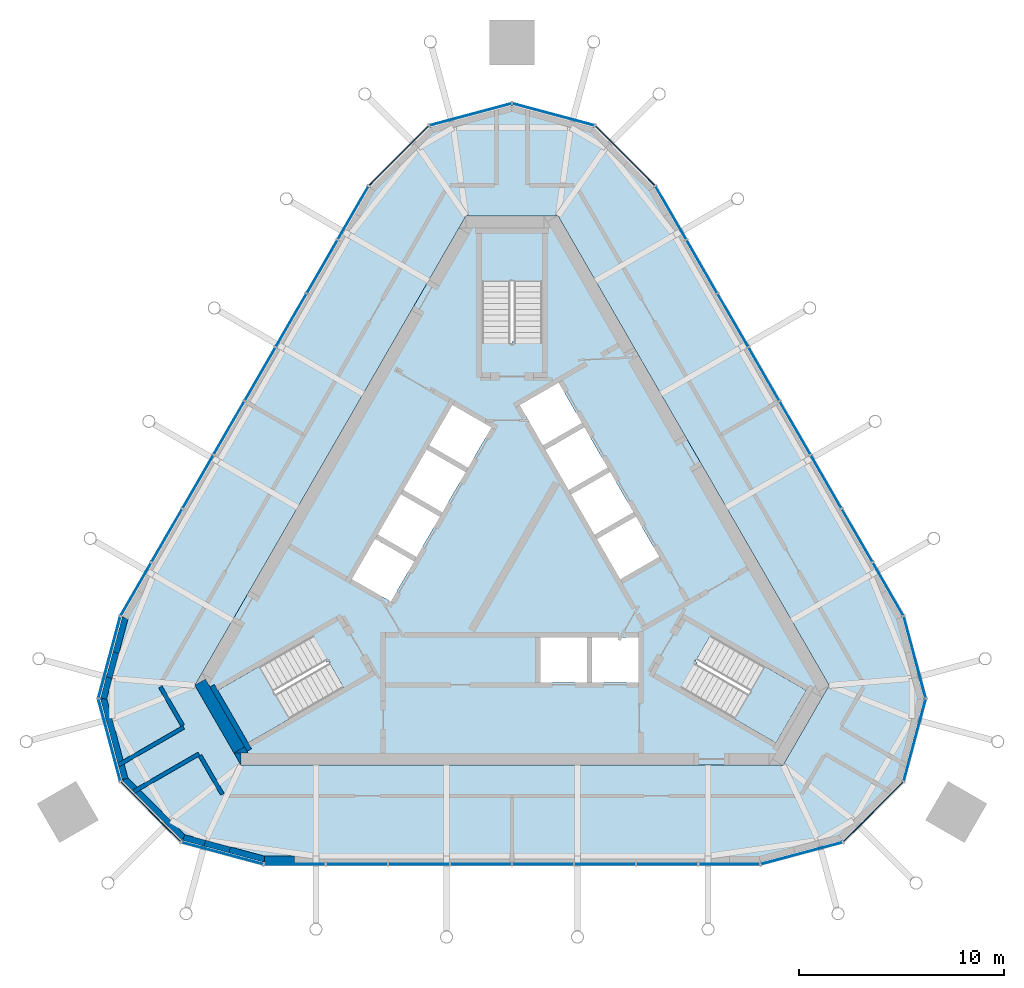
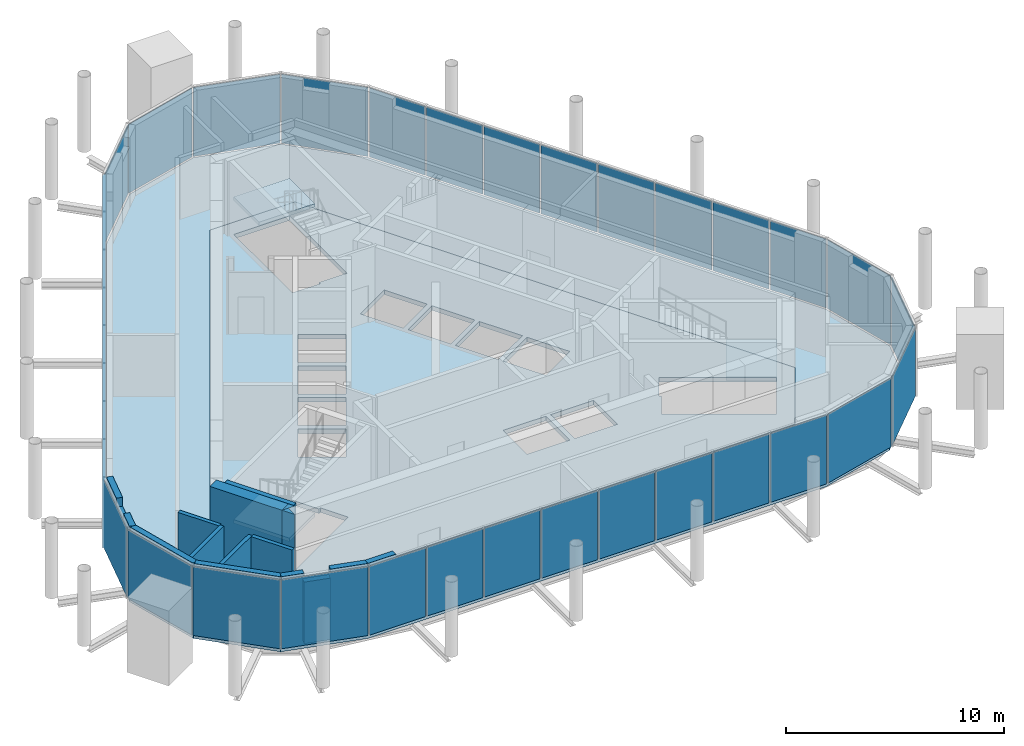
# One storey, part 6 of 11: 36 plates, 17 walls, 5 slabs, 9 elements without a shape of their own.
"""IFC4 building model written with IfcOpenShell, lengths in metres."""

from ifc_helpers import new_model, si_unit, direction, frame, frame_2d, origin, origin_2d, place, context, subcontext, project, spatial, polyline, rectangle, outline, extrude, material, layer, layer_set, type_object, element, aggregate, save


model = new_model("IFC4")

# Units and contexts
model_context = context("Model", 3, precision=1e-05, world=origin(), true_north=direction((0.0, 1.0)))
body_context = subcontext(model_context, "Body", "Model", "MODEL_VIEW")
ifc_project = project(units=[si_unit("LENGTHUNIT", "METRE"), si_unit("AREAUNIT", "SQUARE_METRE"), si_unit("VOLUMEUNIT", "CUBIC_METRE"), si_unit("PLANEANGLEUNIT", "RADIAN"), si_unit("MASSUNIT", "GRAM", prefix="KILO")], contexts=[model_context])

# Site, building, storey
site_placement = place(None, origin())
site = spatial("IfcSite", under=ifc_project, at=site_placement, CompositionType="ELEMENT")
building_placement = place(site_placement, origin())
building = spatial("IfcBuilding", under=site, at=building_placement, Name="Mestral Congress Tower", CompositionType="ELEMENT")
storey_placement = place(building_placement, frame((0.0, 0.0, 336.0)))
storey = spatial("IfcBuildingStorey", under=building, at=storey_placement, Name="L78", CompositionType="ELEMENT", Elevation=336.0)

# Slab
ifc_material_1 = material(Name="Concrete C60/75", Category="concrete")
ifc_layer_1 = layer(ifc_material_1, 0.25)
ifc_layer_set_1 = layer_set([ifc_layer_1], Name="Concrete C60/75")
slab_type_1 = type_object("IfcSlabType", Name="Core floor slab RC 250", PredefinedType="FLOOR", material=ifc_layer_set_1)
placement_1 = place(storey_placement, frame((0.0, 0.0, -0.25)))
element("IfcSlab", 1, at=placement_1, inside=storey, type_object=slab_type_1, Name="L78 core floor", PredefinedType="FLOOR", context=body_context, shape_type="SweptSolid", body=[
    extrude(outline(polyline([(13.250244140625, -10.25), (-13.250244140625, -10.25), (-15.501953125, -6.35009765625), (-2.251708984375, 16.60009765625), (2.251708984375, 16.60009765625), (15.501953125, -6.35009765625), (13.250244140625, -10.25)]), holes=[polyline([(-14.37744140625, -6.59765625), (-12.90234375, -9.15234375), (-8.234619140625, -6.45751953125), (-8.971923828125, -5.179931640625), (-9.0673828125, -5.235107421875), (-9.8046875, -3.95751953125), (-14.37744140625, -6.59765625)]), polyline([(-5.921630859375, -2.256591796875), (-4.78662109375, -0.29052734375), (-6.69189453125, 0.809326171875), (-7.826904296875, -1.156494140625), (-5.921630859375, -2.256591796875)]), polyline([(-4.66162109375, -0.07421875), (-3.526611328125, 1.8916015625), (-5.431884765625, 2.99169921875), (-6.56689453125, 1.02587890625), (-4.66162109375, -0.07421875)]), polyline([(-2.2666015625, 4.07421875), (-4.171875, 5.174072265625), (-5.306884765625, 3.208251953125), (-3.401611328125, 2.1083984375), (-2.2666015625, 4.07421875)]), polyline([(-2.1416015625, 4.29052734375), (-1.006591796875, 6.256591796875), (-2.911865234375, 7.3564453125), (-4.046875, 5.390625), (-2.1416015625, 4.29052734375)]), polyline([(0.376708984375, 7.34765625), (1.51171875, 5.3818359375), (3.4169921875, 6.481689453125), (2.281982421875, 8.44775390625), (0.376708984375, 7.34765625)]), polyline([(1.47509765625, 15.75), (-1.47509765625, 15.75), (-1.47509765625, 10.360107421875), (0.0, 10.360107421875), (0.0, 10.469970703125), (1.47509765625, 10.469970703125), (1.47509765625, 15.75)]), polyline([(8.329833984375, -6.512451171875), (12.90234375, -9.15234375), (14.37744140625, -6.59765625), (9.70947265625, -3.902587890625), (8.971923828125, -5.179931640625), (9.0673828125, -5.235107421875), (8.329833984375, -6.512451171875)]), polyline([(3.655029296875, -4.0), (1.385009765625, -4.0), (1.385009765625, -6.199951171875), (3.655029296875, -6.199951171875), (3.655029296875, -4.0)]), polyline([(6.175048828125, -4.0), (3.905029296875, -4.0), (3.905029296875, -6.199951171875), (6.175048828125, -6.199951171875), (6.175048828125, -4.0)]), polyline([(4.156494140625, 0.800537109375), (5.29150390625, -1.165283203125), (7.197021484375, -0.065185546875), (6.06201171875, 1.900634765625), (4.156494140625, 0.800537109375)]), polyline([(2.896484375, 2.98291015625), (4.031494140625, 1.01708984375), (5.93701171875, 2.1171875), (4.802001953125, 4.0830078125), (2.896484375, 2.98291015625)]), polyline([(1.63671875, 5.165283203125), (2.771484375, 3.199462890625), (4.677001953125, 4.29931640625), (3.5419921875, 6.265380859375), (1.63671875, 5.165283203125)])]), origin(), (0.0, 0.0, 1.0), 0.25),
])

# Stair, slab
stair_type = type_object("IfcStairType", Name="Exit stair 1400", PredefinedType="HALF_TURN_STAIR", material=ifc_material_1)
placement_2 = place(storey_placement, origin())
stair_1 = element("IfcStair", 2, at=placement_2, inside=storey, type_object=stair_type, Name="L78 ST1", PredefinedType="HALF_TURN_STAIR")
ifc_layer_2 = layer(ifc_material_1, 0.199951171875)
ifc_layer_set_2 = layer_set([ifc_layer_2], Name="Concrete C60/75")
slab_type_2 = type_object("IfcSlabType", Name="Exit stair landing 200", PredefinedType="LANDING", material=ifc_layer_set_2)
placement_3 = place(storey_placement, frame((0.0, 0.0, 1.89990234375)))
slab_2 = element("IfcSlab", 3, at=placement_3, type_object=slab_type_2, Name="ST1 landing 1", PredefinedType="LANDING", context=body_context, shape_type="SweptSolid", body=[
    extrude(outline(polyline([(10.879638671875, -7.99609375), (12.364501953125, -5.424072265625), (14.39111328125, -6.593994140625), (12.906005859375, -9.166015625), (10.879638671875, -7.99609375)])), origin(), (0.0, 0.0, 1.0), 0.2001953125),
])
aggregate(stair_1, [slab_2])

stair_2 = element("IfcStair", 4, at=placement_2, inside=storey, type_object=stair_type, Name="L78 ST2", PredefinedType="HALF_TURN_STAIR")
slab_3 = element("IfcSlab", 5, at=placement_3, type_object=slab_type_2, Name="ST2 landing 1", PredefinedType="LANDING", context=body_context, shape_type="SweptSolid", body=[
    extrude(outline(polyline([(1.485107421875, 13.419921875), (-1.485107421875, 13.419921875), (-1.485107421875, 15.760009765625), (1.485107421875, 15.760009765625), (1.485107421875, 13.419921875)])), origin(), (0.0, 0.0, 1.0), 0.2001953125),
])
aggregate(stair_2, [slab_3])

stair_3 = element("IfcStair", 6, at=placement_2, inside=storey, type_object=stair_type, Name="L78 ST3", PredefinedType="HALF_TURN_STAIR")
slab_4 = element("IfcSlab", 7, at=placement_3, type_object=slab_type_2, Name="ST3 landing 1", PredefinedType="LANDING", context=body_context, shape_type="SweptSolid", body=[
    extrude(outline(polyline([(-12.364501953125, -5.424072265625), (-10.879638671875, -7.99609375), (-12.906005859375, -9.166015625), (-14.39111328125, -6.593994140625), (-12.364501953125, -5.424072265625)])), origin(), (0.0, 0.0, 1.0), 0.2001953125),
])
aggregate(stair_3, [slab_4])

# Curtain wall, plates
ifc_material_2 = material(Name="Glazed ceramic", Category="masonry")
curtain_wall_type = type_object("IfcCurtainWallType", Name="Facade plant louvre screen", PredefinedType="USERDEFINED", material=ifc_material_2)
curtain_wall_1 = element("IfcCurtainWall", 8, at=placement_2, inside=storey, type_object=curtain_wall_type, Name="Plant louvre screen corner 1", ObjectType="CURTAIN WALL", PredefinedType="USERDEFINED")
ifc_layer_3 = layer(ifc_material_2, 0.0400390625)
ifc_layer_set_3 = layer_set([ifc_layer_3], Name="Glazed ceramic")
plate_type = type_object("IfcPlateType", Name="Facade plant louvre screen panel", PredefinedType="CURTAIN_PANEL", material=ifc_layer_set_3)
plate_1_placement = place(storey_placement, frame((14.156982421875, -14.558837890625, 0.0), z_axis=(0.0, 0.0, 1.0), x_axis=(0.965925826289, 0.258819045103, 0.0)))
plate_1 = element("IfcPlate", 9, at=plate_1_placement, type_object=plate_type, Name="Ceramic louvre panel", PredefinedType="CURTAIN_PANEL", context=body_context, shape_type="SweptSolid", body=[
    extrude(rectangle(XDim=4.10107421875, YDim=0.0400390625, at=origin_2d()), origin(), (0.0, 0.0, 1.0), 3.85009765625),
])
plate_2_placement = place(storey_placement, frame((17.6591796875, -12.534912109375, 0.0), z_axis=(0.0, 0.0, 1.0), x_axis=(0.707106781187, 0.707106781187, 0.0)))
plate_2 = element("IfcPlate", 10, at=plate_2_placement, type_object=plate_type, Name="Ceramic louvre panel", PredefinedType="CURTAIN_PANEL", context=body_context, shape_type="SweptSolid", body=[
    extrude(rectangle(XDim=4.11474609375, YDim=0.0400390625, at=origin_2d()), origin(), (0.0, 0.0, 1.0), 3.85009765625),
])
plate_3_placement = place(storey_placement, frame((19.68505859375, -9.02587890625, 0.0), z_axis=(0.0, 0.0, 1.0), x_axis=(0.258819045103, 0.965925826289, 0.0)))
plate_3 = element("IfcPlate", 11, at=plate_3_placement, type_object=plate_type, Name="Ceramic louvre panel", PredefinedType="CURTAIN_PANEL", context=body_context, shape_type="SweptSolid", body=[
    extrude(rectangle(XDim=4.11474609375, YDim=0.0400390625, at=origin_2d()), origin(), (0.0, 0.0, 1.0), 3.85009765625),
])
plate_4_placement = place(storey_placement, frame((19.68701171875, -4.980712890625, 0.0), z_axis=(0.0, 0.0, 1.0), x_axis=(-0.258819045103, 0.965925826289, 0.0)))
plate_4 = element("IfcPlate", 12, at=plate_4_placement, type_object=plate_type, Name="Ceramic louvre panel", PredefinedType="CURTAIN_PANEL", context=body_context, shape_type="SweptSolid", body=[
    extrude(rectangle(XDim=4.10107421875, YDim=0.0400390625, at=origin_2d()), origin(), (0.0, 0.0, 1.0), 3.85009765625),
])
aggregate(curtain_wall_1, [plate_1, plate_2, plate_3, plate_4])

curtain_wall_2 = element("IfcCurtainWall", 13, at=placement_2, inside=storey, type_object=curtain_wall_type, Name="Plant louvre screen side 2", ObjectType="CURTAIN WALL", PredefinedType="USERDEFINED")
plate_5_placement = place(storey_placement, frame((18.38720703125, -1.6474609375, 0.0), z_axis=(0.0, 0.0, 1.0), x_axis=(-0.500001511499, 0.866024531118, 0.0)))
plate_5 = element("IfcPlate", 14, at=plate_5_placement, type_object=plate_type, Name="Ceramic louvre panel", PredefinedType="CURTAIN_PANEL", context=body_context, shape_type="SweptSolid", body=[
    extrude(rectangle(XDim=2.954345703125, YDim=0.0400390625, at=origin_2d()), origin(), (0.0, 0.0, 1.0), 3.85009765625),
])
plate_6_placement = place(storey_placement, frame((16.8701171875, 0.98046875, 0.0), z_axis=(0.0, 0.0, 1.0), x_axis=(-0.500001511499, 0.866024531118, 0.0)))
plate_6 = element("IfcPlate", 15, at=plate_6_placement, type_object=plate_type, Name="Ceramic louvre panel", PredefinedType="CURTAIN_PANEL", context=body_context, shape_type="SweptSolid", body=[
    extrude(rectangle(XDim=2.954345703125, YDim=0.0400390625, at=origin_2d()), origin(), (0.0, 0.0, 1.0), 3.85009765625),
])
plate_7_placement = place(storey_placement, frame((15.352783203125, 3.608154296875, 0.0), z_axis=(0.0, 0.0, 1.0), x_axis=(-0.500001511499, 0.866024531118, 0.0)))
plate_7 = element("IfcPlate", 16, at=plate_7_placement, type_object=plate_type, Name="Ceramic louvre panel", PredefinedType="CURTAIN_PANEL", context=body_context, shape_type="SweptSolid", body=[
    extrude(rectangle(XDim=2.954345703125, YDim=0.0400390625, at=origin_2d()), origin(), (0.0, 0.0, 1.0), 3.85009765625),
])
plate_8_placement = place(storey_placement, frame((13.835693359375, 6.236083984375, 0.0), z_axis=(0.0, 0.0, 1.0), x_axis=(-0.500001511499, 0.866024531118, 0.0)))
plate_8 = element("IfcPlate", 17, at=plate_8_placement, type_object=plate_type, Name="Ceramic louvre panel", PredefinedType="CURTAIN_PANEL", context=body_context, shape_type="SweptSolid", body=[
    extrude(rectangle(XDim=2.954345703125, YDim=0.0400390625, at=origin_2d()), origin(), (0.0, 0.0, 1.0), 3.85009765625),
])
plate_9_placement = place(storey_placement, frame((12.318359375, 8.864013671875, 0.0), z_axis=(0.0, 0.0, 1.0), x_axis=(-0.500001511499, 0.866024531118, 0.0)))
plate_9 = element("IfcPlate", 18, at=plate_9_placement, type_object=plate_type, Name="Ceramic louvre panel", PredefinedType="CURTAIN_PANEL", context=body_context, shape_type="SweptSolid", body=[
    extrude(rectangle(XDim=2.954345703125, YDim=0.0400390625, at=origin_2d()), origin(), (0.0, 0.0, 1.0), 3.85009765625),
])
plate_10_placement = place(storey_placement, frame((10.80126953125, 11.49169921875, 0.0), z_axis=(0.0, 0.0, 1.0), x_axis=(-0.500001511499, 0.866024531118, 0.0)))
plate_10 = element("IfcPlate", 19, at=plate_10_placement, type_object=plate_type, Name="Ceramic louvre panel", PredefinedType="CURTAIN_PANEL", context=body_context, shape_type="SweptSolid", body=[
    extrude(rectangle(XDim=2.954345703125, YDim=0.0400390625, at=origin_2d()), origin(), (0.0, 0.0, 1.0), 3.85009765625),
])
plate_11_placement = place(storey_placement, frame((9.283935546875, 14.11962890625, 0.0), z_axis=(0.0, 0.0, 1.0), x_axis=(-0.500001511499, 0.866024531118, 0.0)))
plate_11 = element("IfcPlate", 20, at=plate_11_placement, type_object=plate_type, Name="Ceramic louvre panel", PredefinedType="CURTAIN_PANEL", context=body_context, shape_type="SweptSolid", body=[
    extrude(rectangle(XDim=2.954345703125, YDim=0.0400390625, at=origin_2d()), origin(), (0.0, 0.0, 1.0), 3.85009765625),
])
plate_12_placement = place(storey_placement, frame((7.766845703125, 16.74755859375, 0.0), z_axis=(0.0, 0.0, 1.0), x_axis=(-0.500001511499, 0.866024531118, 0.0)))
plate_12 = element("IfcPlate", 21, at=plate_12_placement, type_object=plate_type, Name="Ceramic louvre panel", PredefinedType="CURTAIN_PANEL", context=body_context, shape_type="SweptSolid", body=[
    extrude(rectangle(XDim=2.954345703125, YDim=0.0400390625, at=origin_2d()), origin(), (0.0, 0.0, 1.0), 3.85009765625),
])
aggregate(curtain_wall_2, [plate_5, plate_6, plate_7, plate_8, plate_9, plate_10, plate_11, plate_12])

curtain_wall_3 = element("IfcCurtainWall", 22, at=placement_2, inside=storey, type_object=curtain_wall_type, Name="Plant louvre screen corner 3", ObjectType="CURTAIN WALL", PredefinedType="USERDEFINED")
plate_13_placement = place(storey_placement, frame((5.530029296875, 19.53955078125, 0.0), z_axis=(0.0, 0.0, 1.0), x_axis=(-0.707106781187, 0.707106781187, 0.0)))
plate_13 = element("IfcPlate", 23, at=plate_13_placement, type_object=plate_type, Name="Ceramic louvre panel", PredefinedType="CURTAIN_PANEL", context=body_context, shape_type="SweptSolid", body=[
    extrude(rectangle(XDim=4.10107421875, YDim=0.0400390625, at=origin_2d()), origin(), (0.0, 0.0, 1.0), 3.85009765625),
])
plate_14_placement = place(storey_placement, frame((2.02587890625, 21.560791015625, 0.0), z_axis=(0.0, 0.0, 1.0), x_axis=(-0.965925826289, 0.258819045103, 0.0)))
plate_14 = element("IfcPlate", 24, at=plate_14_placement, type_object=plate_type, Name="Ceramic louvre panel", PredefinedType="CURTAIN_PANEL", context=body_context, shape_type="SweptSolid", body=[
    extrude(rectangle(XDim=4.11474609375, YDim=0.0400390625, at=origin_2d()), origin(), (0.0, 0.0, 1.0), 3.85009765625),
])
plate_15_placement = place(storey_placement, frame((-2.02587890625, 21.560791015625, 0.0), z_axis=(0.0, 0.0, 1.0), x_axis=(-0.965925826289, -0.258819045103, 0.0)))
plate_15 = element("IfcPlate", 25, at=plate_15_placement, type_object=plate_type, Name="Ceramic louvre panel", PredefinedType="CURTAIN_PANEL", context=body_context, shape_type="SweptSolid", body=[
    extrude(rectangle(XDim=4.11474609375, YDim=0.0400390625, at=origin_2d()), origin(), (0.0, 0.0, 1.0), 3.85009765625),
])
plate_16_placement = place(storey_placement, frame((-5.530029296875, 19.53955078125, 0.0), z_axis=(0.0, 0.0, 1.0), x_axis=(-0.707106781187, -0.707106781187, 0.0)))
plate_16 = element("IfcPlate", 26, at=plate_16_placement, type_object=plate_type, Name="Ceramic louvre panel", PredefinedType="CURTAIN_PANEL", context=body_context, shape_type="SweptSolid", body=[
    extrude(rectangle(XDim=4.10107421875, YDim=0.0400390625, at=origin_2d()), origin(), (0.0, 0.0, 1.0), 3.85009765625),
])
aggregate(curtain_wall_3, [plate_13, plate_14, plate_15, plate_16])

curtain_wall_4 = element("IfcCurtainWall", 27, at=placement_2, inside=storey, type_object=curtain_wall_type, Name="Plant louvre screen side 4", ObjectType="CURTAIN WALL", PredefinedType="USERDEFINED")
plate_17_placement = place(storey_placement, frame((-7.766845703125, 16.74755859375, 0.0), z_axis=(0.0, 0.0, 1.0), x_axis=(-0.500001511499, -0.866024531118, 0.0)))
plate_17 = element("IfcPlate", 28, at=plate_17_placement, type_object=plate_type, Name="Ceramic louvre panel", PredefinedType="CURTAIN_PANEL", context=body_context, shape_type="SweptSolid", body=[
    extrude(rectangle(XDim=2.954345703125, YDim=0.0400390625, at=origin_2d()), origin(), (0.0, 0.0, 1.0), 3.85009765625),
])
plate_18_placement = place(storey_placement, frame((-9.283935546875, 14.11962890625, 0.0), z_axis=(0.0, 0.0, 1.0), x_axis=(-0.500001511499, -0.866024531118, 0.0)))
plate_18 = element("IfcPlate", 29, at=plate_18_placement, type_object=plate_type, Name="Ceramic louvre panel", PredefinedType="CURTAIN_PANEL", context=body_context, shape_type="SweptSolid", body=[
    extrude(rectangle(XDim=2.954345703125, YDim=0.0400390625, at=origin_2d()), origin(), (0.0, 0.0, 1.0), 3.85009765625),
])
plate_19_placement = place(storey_placement, frame((-10.80126953125, 11.49169921875, 0.0), z_axis=(0.0, 0.0, 1.0), x_axis=(-0.500001511499, -0.866024531118, 0.0)))
plate_19 = element("IfcPlate", 30, at=plate_19_placement, type_object=plate_type, Name="Ceramic louvre panel", PredefinedType="CURTAIN_PANEL", context=body_context, shape_type="SweptSolid", body=[
    extrude(rectangle(XDim=2.954345703125, YDim=0.0400390625, at=origin_2d()), origin(), (0.0, 0.0, 1.0), 3.85009765625),
])
plate_20_placement = place(storey_placement, frame((-12.318359375, 8.864013671875, 0.0), z_axis=(0.0, 0.0, 1.0), x_axis=(-0.500001511499, -0.866024531118, 0.0)))
plate_20 = element("IfcPlate", 31, at=plate_20_placement, type_object=plate_type, Name="Ceramic louvre panel", PredefinedType="CURTAIN_PANEL", context=body_context, shape_type="SweptSolid", body=[
    extrude(rectangle(XDim=2.954345703125, YDim=0.0400390625, at=origin_2d()), origin(), (0.0, 0.0, 1.0), 3.85009765625),
])
plate_21_placement = place(storey_placement, frame((-13.835693359375, 6.236083984375, 0.0), z_axis=(0.0, 0.0, 1.0), x_axis=(-0.500001511499, -0.866024531118, 0.0)))
plate_21 = element("IfcPlate", 32, at=plate_21_placement, type_object=plate_type, Name="Ceramic louvre panel", PredefinedType="CURTAIN_PANEL", context=body_context, shape_type="SweptSolid", body=[
    extrude(rectangle(XDim=2.954345703125, YDim=0.0400390625, at=origin_2d()), origin(), (0.0, 0.0, 1.0), 3.85009765625),
])
plate_22_placement = place(storey_placement, frame((-15.352783203125, 3.608154296875, 0.0), z_axis=(0.0, 0.0, 1.0), x_axis=(-0.500001511499, -0.866024531118, 0.0)))
plate_22 = element("IfcPlate", 33, at=plate_22_placement, type_object=plate_type, Name="Ceramic louvre panel", PredefinedType="CURTAIN_PANEL", context=body_context, shape_type="SweptSolid", body=[
    extrude(rectangle(XDim=2.954345703125, YDim=0.0400390625, at=origin_2d()), origin(), (0.0, 0.0, 1.0), 3.85009765625),
])
plate_23_placement = place(storey_placement, frame((-16.8701171875, 0.98046875, 0.0), z_axis=(0.0, 0.0, 1.0), x_axis=(-0.500001511499, -0.866024531118, 0.0)))
plate_23 = element("IfcPlate", 34, at=plate_23_placement, type_object=plate_type, Name="Ceramic louvre panel", PredefinedType="CURTAIN_PANEL", context=body_context, shape_type="SweptSolid", body=[
    extrude(rectangle(XDim=2.954345703125, YDim=0.0400390625, at=origin_2d()), origin(), (0.0, 0.0, 1.0), 3.85009765625),
])
plate_24_placement = place(storey_placement, frame((-18.38720703125, -1.6474609375, 0.0), z_axis=(0.0, 0.0, 1.0), x_axis=(-0.500001511499, -0.866024531118, 0.0)))
plate_24 = element("IfcPlate", 35, at=plate_24_placement, type_object=plate_type, Name="Ceramic louvre panel", PredefinedType="CURTAIN_PANEL", context=body_context, shape_type="SweptSolid", body=[
    extrude(rectangle(XDim=2.954345703125, YDim=0.0400390625, at=origin_2d()), origin(), (0.0, 0.0, 1.0), 3.85009765625),
])
aggregate(curtain_wall_4, [plate_17, plate_18, plate_19, plate_20, plate_21, plate_22, plate_23, plate_24])

curtain_wall_5 = element("IfcCurtainWall", 36, at=placement_2, inside=storey, type_object=curtain_wall_type, Name="Plant louvre screen corner 5", ObjectType="CURTAIN WALL", PredefinedType="USERDEFINED")
plate_25_placement = place(storey_placement, frame((-19.68701171875, -4.980712890625, 0.0), z_axis=(0.0, 0.0, 1.0), x_axis=(-0.258819045103, -0.965925826289, 0.0)))
plate_25 = element("IfcPlate", 37, at=plate_25_placement, type_object=plate_type, Name="Ceramic louvre panel", PredefinedType="CURTAIN_PANEL", context=body_context, shape_type="SweptSolid", body=[
    extrude(rectangle(XDim=4.10107421875, YDim=0.0400390625, at=origin_2d()), origin(), (0.0, 0.0, 1.0), 3.85009765625),
])
plate_26_placement = place(storey_placement, frame((-19.68505859375, -9.02587890625, 0.0), z_axis=(0.0, 0.0, 1.0), x_axis=(0.258819045103, -0.965925826289, 0.0)))
plate_26 = element("IfcPlate", 38, at=plate_26_placement, type_object=plate_type, Name="Ceramic louvre panel", PredefinedType="CURTAIN_PANEL", context=body_context, shape_type="SweptSolid", body=[
    extrude(rectangle(XDim=4.11474609375, YDim=0.0400390625, at=origin_2d()), origin(), (0.0, 0.0, 1.0), 3.85009765625),
])
plate_27_placement = place(storey_placement, frame((-17.6591796875, -12.534912109375, 0.0), z_axis=(0.0, 0.0, 1.0), x_axis=(0.707106781187, -0.707106781187, 0.0)))
plate_27 = element("IfcPlate", 39, at=plate_27_placement, type_object=plate_type, Name="Ceramic louvre panel", PredefinedType="CURTAIN_PANEL", context=body_context, shape_type="SweptSolid", body=[
    extrude(rectangle(XDim=4.11474609375, YDim=0.0400390625, at=origin_2d()), origin(), (0.0, 0.0, 1.0), 3.85009765625),
])
plate_28_placement = place(storey_placement, frame((-14.156982421875, -14.558837890625, 0.0), z_axis=(0.0, 0.0, 1.0), x_axis=(0.965925826289, -0.258819045103, 0.0)))
plate_28 = element("IfcPlate", 40, at=plate_28_placement, type_object=plate_type, Name="Ceramic louvre panel", PredefinedType="CURTAIN_PANEL", context=body_context, shape_type="SweptSolid", body=[
    extrude(rectangle(XDim=4.10107421875, YDim=0.0400390625, at=origin_2d()), origin(), (0.0, 0.0, 1.0), 3.85009765625),
])
aggregate(curtain_wall_5, [plate_25, plate_26, plate_27, plate_28])

curtain_wall_6 = element("IfcCurtainWall", 41, at=placement_2, inside=storey, type_object=curtain_wall_type, Name="Plant louvre screen side 6", ObjectType="CURTAIN WALL", PredefinedType="USERDEFINED")
plate_29_placement = place(storey_placement, frame((-10.620361328125, -15.10009765625, 0.0), z_axis=(0.0, 0.0, 1.0), x_axis=(1.0, 0.0, 0.0)))
plate_29 = element("IfcPlate", 42, at=plate_29_placement, type_object=plate_type, Name="Ceramic louvre panel", PredefinedType="CURTAIN_PANEL", context=body_context, shape_type="SweptSolid", body=[
    extrude(rectangle(XDim=2.954345703125, YDim=0.0400390625, at=origin_2d()), origin(), (0.0, 0.0, 1.0), 3.85009765625),
])
plate_30_placement = place(storey_placement, frame((-7.5859375, -15.10009765625, 0.0), z_axis=(0.0, 0.0, 1.0), x_axis=(1.0, 0.0, 0.0)))
plate_30 = element("IfcPlate", 43, at=plate_30_placement, type_object=plate_type, Name="Ceramic louvre panel", PredefinedType="CURTAIN_PANEL", context=body_context, shape_type="SweptSolid", body=[
    extrude(rectangle(XDim=2.954345703125, YDim=0.0400390625, at=origin_2d()), origin(), (0.0, 0.0, 1.0), 3.85009765625),
])
plate_31_placement = place(storey_placement, frame((-4.551513671875, -15.10009765625, 0.0), z_axis=(0.0, 0.0, 1.0), x_axis=(1.0, 0.0, 0.0)))
plate_31 = element("IfcPlate", 44, at=plate_31_placement, type_object=plate_type, Name="Ceramic louvre panel", PredefinedType="CURTAIN_PANEL", context=body_context, shape_type="SweptSolid", body=[
    extrude(rectangle(XDim=2.954345703125, YDim=0.0400390625, at=origin_2d()), origin(), (0.0, 0.0, 1.0), 3.85009765625),
])
plate_32_placement = place(storey_placement, frame((-1.51708984375, -15.10009765625, 0.0), z_axis=(0.0, 0.0, 1.0), x_axis=(1.0, 0.0, 0.0)))
plate_32 = element("IfcPlate", 45, at=plate_32_placement, type_object=plate_type, Name="Ceramic louvre panel", PredefinedType="CURTAIN_PANEL", context=body_context, shape_type="SweptSolid", body=[
    extrude(rectangle(XDim=2.954345703125, YDim=0.0400390625, at=origin_2d()), origin(), (0.0, 0.0, 1.0), 3.85009765625),
])
plate_33_placement = place(storey_placement, frame((1.51708984375, -15.10009765625, 0.0), z_axis=(0.0, 0.0, 1.0), x_axis=(1.0, 0.0, 0.0)))
plate_33 = element("IfcPlate", 46, at=plate_33_placement, type_object=plate_type, Name="Ceramic louvre panel", PredefinedType="CURTAIN_PANEL", context=body_context, shape_type="SweptSolid", body=[
    extrude(rectangle(XDim=2.954345703125, YDim=0.0400390625, at=origin_2d()), origin(), (0.0, 0.0, 1.0), 3.85009765625),
])
plate_34_placement = place(storey_placement, frame((4.551513671875, -15.10009765625, 0.0), z_axis=(0.0, 0.0, 1.0), x_axis=(1.0, 0.0, 0.0)))
plate_34 = element("IfcPlate", 47, at=plate_34_placement, type_object=plate_type, Name="Ceramic louvre panel", PredefinedType="CURTAIN_PANEL", context=body_context, shape_type="SweptSolid", body=[
    extrude(rectangle(XDim=2.954345703125, YDim=0.0400390625, at=origin_2d()), origin(), (0.0, 0.0, 1.0), 3.85009765625),
])
plate_35_placement = place(storey_placement, frame((7.5859375, -15.10009765625, 0.0), z_axis=(0.0, 0.0, 1.0), x_axis=(1.0, 0.0, 0.0)))
plate_35 = element("IfcPlate", 48, at=plate_35_placement, type_object=plate_type, Name="Ceramic louvre panel", PredefinedType="CURTAIN_PANEL", context=body_context, shape_type="SweptSolid", body=[
    extrude(rectangle(XDim=2.954345703125, YDim=0.0400390625, at=origin_2d()), origin(), (0.0, 0.0, 1.0), 3.85009765625),
])
plate_36_placement = place(storey_placement, frame((10.620361328125, -15.10009765625, 0.0), z_axis=(0.0, 0.0, 1.0), x_axis=(1.0, 0.0, 0.0)))
plate_36 = element("IfcPlate", 49, at=plate_36_placement, type_object=plate_type, Name="Ceramic louvre panel", PredefinedType="CURTAIN_PANEL", context=body_context, shape_type="SweptSolid", body=[
    extrude(rectangle(XDim=2.954345703125, YDim=0.0400390625, at=origin_2d()), origin(), (0.0, 0.0, 1.0), 3.85009765625),
])
aggregate(curtain_wall_6, [plate_29, plate_30, plate_31, plate_32, plate_33, plate_34, plate_35, plate_36])

# Slab
ifc_material_3 = material(Name="Concrete C35/45", Category="concrete")
ifc_layer_4 = layer(ifc_material_3, 0.25)
ifc_layer_set_4 = layer_set([ifc_layer_4], Name="Concrete C35/45")
slab_type_3 = type_object("IfcSlabType", Name="Plant floor slab 250", PredefinedType="FLOOR", material=ifc_layer_set_4)
element("IfcSlab", 50, at=placement_1, inside=storey, type_object=slab_type_3, Name="SL-L78-PLANT", PredefinedType="FLOOR", context=body_context, shape_type="SweptSolid", body=[
    extrude(outline(polyline([(12.12451171875, -15.0), (16.12451171875, -13.92822265625), (19.052490234375, -11.0), (20.12451171875, -7.0), (19.052490234375, -3.0), (6.92822265625, 18.0), (4.0, 20.92822265625), (0.0, 22.0), (-4.0, 20.92822265625), (-6.92822265625, 18.0), (-19.052490234375, -3.0), (-20.12451171875, -7.0), (-19.052490234375, -11.0), (-16.12451171875, -13.92822265625), (-12.12451171875, -15.0), (12.12451171875, -15.0)]), holes=[polyline([(-2.251708984375, 16.60009765625), (-15.501953125, -6.35009765625), (-13.250244140625, -10.25), (13.250244140625, -10.25), (15.501953125, -6.35009765625), (2.251708984375, 16.60009765625), (-2.251708984375, 16.60009765625)])]), origin(), (0.0, 0.0, 1.0), 0.25),
])

# Walls
ifc_layer_5 = layer(ifc_material_1, 0.60009765625)
ifc_layer_set_5 = layer_set([ifc_layer_5], Name="Concrete C60/75")
wall_type_1 = type_object("IfcWallType", Name="Core wall RC 600", PredefinedType="SOLIDWALL", material=ifc_layer_set_5)
element("IfcWall", 51, at=placement_2, inside=storey, type_object=wall_type_1, Name="L78 core wall", PredefinedType="SOLIDWALL", context=body_context, shape_type="SweptSolid", body=[
    extrude(outline(polyline([(-13.5966796875, -9.64990234375), (-13.258544921875, -9.64990234375), (-13.258544921875, -10.235595703125), (-13.5966796875, -9.64990234375)])), origin(), (0.0, 0.0, 1.0), 4.199951171875),
])
wall_2_placement = place(storey_placement, frame((-13.33349609375, -9.505615234375, 0.0), z_axis=(0.0, 0.0, 1.0), x_axis=(-0.500019073792, 0.866014391245, 0.0)))
element("IfcWall", 52, at=wall_2_placement, inside=storey, type_object=wall_type_1, Name="L78 core wall", PredefinedType="SOLIDWALL", context=body_context, shape_type="SweptSolid", body=[
    extrude(rectangle(XDim=3.823486328125, YDim=0.60009765625, at=frame_2d((1.91162109375, 0.0))), origin(), (0.0, 0.0, 1.0), 4.199951171875),
])
element("IfcWall", 53, at=placement_2, inside=storey, type_object=wall_type_1, Name="L78 core wall", PredefinedType="SOLIDWALL", context=body_context, shape_type="SweptSolid", body=[
    extrude(outline(polyline([(-12.90380859375, -9.64990234375), (-13.579833984375, -9.64990234375), (-13.07275390625, -9.357421875), (-12.90380859375, -9.64990234375)])), origin(), (0.0, 0.0, 1.0), 4.199951171875),
])
ifc_material_4 = material(Name="Precast concrete C40/50 with limestone facing", Category="masonry")
ifc_layer_6 = layer(ifc_material_4, 0.300048828125)
ifc_layer_set_6 = layer_set([ifc_layer_6], Name="Precast concrete C40/50 with limestone facing")
wall_type_2 = type_object("IfcWallType", Name="Crown plant block wall 300", PredefinedType="SOLIDWALL", material=ifc_layer_set_6)
wall_4_placement = place(storey_placement, frame((-18.912841796875, -3.057861328125, 0.0), z_axis=(0.0, 0.0, 1.0), x_axis=(-0.258824282894, -0.965924422812, 0.0)))
element("IfcWall", 54, at=wall_4_placement, inside=storey, type_object=wall_type_2, Name="Plant block wall 11", PredefinedType="SOLIDWALL", context=body_context, shape_type="SweptSolid", body=[
    extrude(rectangle(XDim=1.752685546875, YDim=0.300048828125, at=frame_2d((0.87646484375, 0.0))), origin(), (0.0, 0.0, 1.0), 3.949951171875),
])
wall_5_placement = place(storey_placement, frame((-19.693603515625, -5.9716796875, 0.0), z_axis=(0.0, 0.0, 1.0), x_axis=(-0.258690231517, -0.96596033258, 0.0)))
element("IfcWall", 55, at=wall_5_placement, inside=storey, type_object=wall_type_2, Name="Plant block wall 11", PredefinedType="SOLIDWALL", context=body_context, shape_type="SweptSolid", body=[
    extrude(rectangle(XDim=1.064453125, YDim=0.300048828125, at=frame_2d((0.5322265625, 0.0))), origin(), (0.0, 0.0, 1.0), 3.949951171875),
])
for number, where, z_axis, x_axis, name in (
    (56, (-19.968994140625, -7.0, 0.0), (0.0, 0.0, 1.0), (0.258770144726, -0.965938927779, 0.0), "Plant block wall 12"),
    (57, (-18.918212890625, -10.92236328125, 0.0), (0.0, 0.0, 1.0), (0.707106781187, -0.707106781187, 0.0), "Plant block wall 13"),
):
    element("IfcWall", number, at=place(storey_placement, frame(where, z_axis=z_axis, x_axis=x_axis)), inside=storey, type_object=wall_type_2, Name=name, PredefinedType="SOLIDWALL", context=body_context, shape_type="SweptSolid", body=[
        extrude(rectangle(XDim=4.060791015625, YDim=0.300048828125, at=frame_2d((2.0302734375, 0.0))), origin(), (0.0, 0.0, 1.0), 3.949951171875),
    ])
wall_6_placement = place(storey_placement, frame((-16.046875, -13.793701171875, 0.0), z_axis=(0.0, 0.0, 1.0), x_axis=(0.965918371587, -0.258846864828, 0.0)))
element("IfcWall", 58, at=wall_6_placement, inside=storey, type_object=wall_type_2, Name="Plant block wall 14", PredefinedType="SOLIDWALL", context=body_context, shape_type="SweptSolid", body=[
    extrude(rectangle(XDim=1.06494140625, YDim=0.300048828125, at=frame_2d((0.532470703125, 0.0))), origin(), (0.0, 0.0, 1.0), 3.949951171875),
])
wall_7_placement = place(storey_placement, frame((-13.79736328125, -14.396484375, 0.0), z_axis=(0.0, 0.0, 1.0), x_axis=(0.965915089044, -0.258859113723, 0.0)))
element("IfcWall", 59, at=wall_7_placement, inside=storey, type_object=wall_type_2, Name="Plant block wall 14", PredefinedType="SOLIDWALL", context=body_context, shape_type="SweptSolid", body=[
    extrude(rectangle(XDim=1.75244140625, YDim=0.300048828125, at=frame_2d((0.876220703125, 0.0))), origin(), (0.0, 0.0, 1.0), 3.949951171875),
])
wall_8_placement = place(storey_placement, frame((-12.104736328125, -14.85009765625, 0.0), z_axis=(0.0, 0.0, 1.0), x_axis=(1.0, 0.0, 0.0)))
element("IfcWall", 60, at=wall_8_placement, inside=storey, type_object=wall_type_2, Name="Plant block wall 15", PredefinedType="SOLIDWALL", context=body_context, shape_type="SweptSolid", body=[
    extrude(rectangle(XDim=1.4638671875, YDim=0.300048828125, at=frame_2d((0.73193359375, 0.0))), origin(), (0.0, 0.0, 1.0), 3.949951171875),
])
ifc_layer_7 = layer(ifc_material_4, 0.300048828125)
ifc_layer_set_7 = layer_set([ifc_layer_7], Name="Precast concrete C40/50 with limestone facing")
wall_type_3 = type_object("IfcWallType", Name="Crown plant block wall 300 under girder", PredefinedType="SOLIDWALL", material=ifc_layer_set_7)
for number, where, z_axis, x_axis, name in (
    (61, (-19.366455078125, -4.750732421875, 0.0), (0.0, 0.0, 1.0), (-0.258816538161, -0.965926498018, 0.0), "Plant block wall 11"),
    (62, (-15.018310546875, -14.0693359375, 0.0), (0.0, 0.0, 1.0), (0.965926498018, -0.258816538161, 0.0), "Plant block wall 14"),
):
    element("IfcWall", number, at=place(storey_placement, frame(where, z_axis=z_axis, x_axis=x_axis)), inside=storey, type_object=wall_type_3, Name=name, PredefinedType="SOLIDWALL", context=body_context, shape_type="SweptSolid", body=[
        extrude(rectangle(XDim=1.263916015625, YDim=0.300048828125, at=frame_2d((0.6318359375, 0.0))), origin(), (0.0, 0.0, 1.0), 3.449951171875),
    ])
ifc_material_5 = material(Name="Concrete block wall, plastered", Category="concrete")
ifc_layer_8 = layer(ifc_material_5, 0.199951171875)
ifc_layer_set_8 = layer_set([ifc_layer_8], Name="Concrete block wall, plastered")
wall_type_4 = type_object("IfcWallType", Name="Special partition 200 EI 120", PredefinedType="PARTITIONING", material=ifc_layer_set_8)
for number, where, z_axis, x_axis, name in (
    (63, (-19.244384765625, -10.24462890625, 0.0), (0.0, 0.0, 1.0), (0.866026863259, 0.499997472108, 0.0), "Partition"),
    (64, (-15.300048828125, -9.699462890625, 0.0), (0.0, 0.0, 1.0), (-0.866026863259, -0.499997472108, 0.0), "Partition"),
):
    element("IfcWall", number, at=place(storey_placement, frame(where, z_axis=z_axis, x_axis=x_axis)), inside=storey, type_object=wall_type_4, Name=name, PredefinedType="PARTITIONING", context=body_context, shape_type="SweptSolid", body=[
        extrude(rectangle(XDim=3.6884765625, YDim=0.199951171875, at=frame_2d((1.84423828125, 0.0))), origin(), (0.0, 0.0, 1.0), 3.449951171875),
    ])
for number, where, z_axis, x_axis, name in (
    (65, (-16.10009765625, -8.31396484375, 0.0), (0.0, 0.0, 1.0), (-0.499997407846, 0.86602690036, 0.0), "Partition"),
    (66, (-14.1611328125, -11.672119140625, 0.0), (0.0, 0.0, 1.0), (-0.499997407846, 0.86602690036, 0.0), "Partition"),
):
    element("IfcWall", number, at=place(storey_placement, frame(where, z_axis=z_axis, x_axis=x_axis)), inside=storey, type_object=wall_type_4, Name=name, PredefinedType="PARTITIONING", context=body_context, shape_type="SweptSolid", body=[
        extrude(rectangle(XDim=2.177734375, YDim=0.199951171875, at=frame_2d((1.0888671875, 0.0))), origin(), (0.0, 0.0, 1.0), 3.449951171875),
    ])
ifc_layer_9 = layer(ifc_material_1, 0.25)
ifc_layer_set_9 = layer_set([ifc_layer_9], Name="Concrete C60/75")
wall_type_5 = type_object("IfcWallType", Name="Stair wall RC 250", PredefinedType="SOLIDWALL", material=ifc_layer_set_9)
wall_9_placement = place(storey_placement, frame((-12.839599609375, -9.510986328125, 0.0), z_axis=(0.0, 0.0, 1.0), x_axis=(-0.499997733992, 0.866026712061, 0.0)))
element("IfcWall", 67, at=wall_9_placement, inside=storey, type_object=wall_type_5, Name="L78 core wall", PredefinedType="SOLIDWALL", context=body_context, shape_type="SweptSolid", body=[
    extrude(rectangle(XDim=3.6337890625, YDim=0.25, at=frame_2d((1.81689453125, 0.0))), origin(), (0.0, 0.0, 1.0), 4.199951171875),
])

save(model, "model.ifc")
